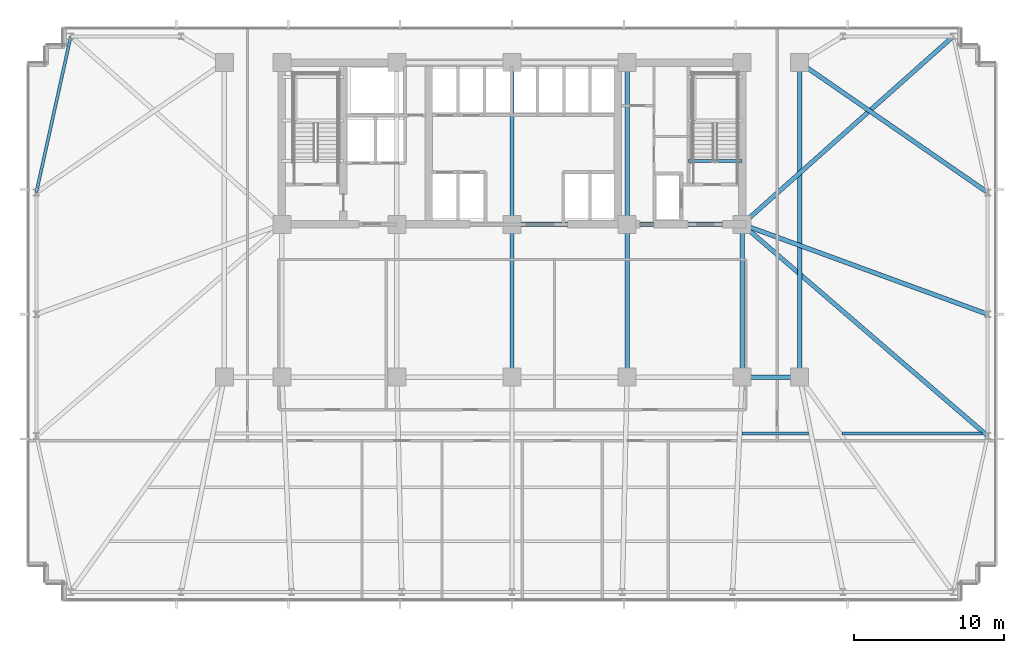
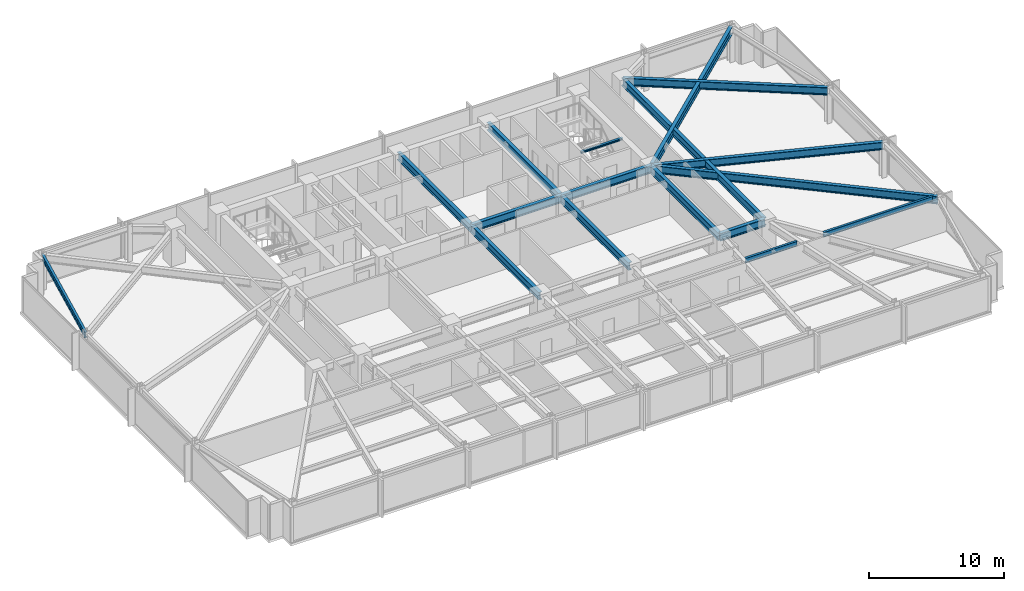
# One storey, part 16 of 32: 17 beams.
"""IFC4 building model written with IfcOpenShell, lengths in metres."""

from ifc_helpers import new_model, si_unit, direction, frame, origin, origin_2d, place, context, subcontext, project, spatial, i_section, extrude, material, material_profile, profile_set, type_object, element, save


model = new_model("IFC4")

# Units and contexts
model_context = context("Model", 3, precision=1e-05, world=origin(), true_north=direction((0.0, 1.0)))
body_context = subcontext(model_context, "Body", "Model", "MODEL_VIEW")
ifc_project = project(units=[si_unit("LENGTHUNIT", "METRE"), si_unit("AREAUNIT", "SQUARE_METRE"), si_unit("VOLUMEUNIT", "CUBIC_METRE"), si_unit("PLANEANGLEUNIT", "RADIAN"), si_unit("MASSUNIT", "GRAM", prefix="KILO")], contexts=[model_context])

# Site, building, storey
site_placement = place(None, origin())
site = spatial("IfcSite", under=ifc_project, at=site_placement, CompositionType="ELEMENT")
building_placement = place(site_placement, origin())
building = spatial("IfcBuilding", under=site, at=building_placement, Name="Yelkora Congress Tower", CompositionType="ELEMENT")
storey_placement = place(building_placement, frame((0.0, 0.0, 40.60009765625)))
storey = spatial("IfcBuildingStorey", under=building, at=storey_placement, Name="L09", CompositionType="ELEMENT", Elevation=40.60009765625)

# Beams
ifc_material = material(Name="Steel S355J2", Category="steel")
ifc_material_profile_1 = material_profile(ifc_material, i_section(OverallWidth=0.300048828125, OverallDepth=0.699951171875, WebThickness=0.01708984375, FlangeThickness=0.031982421875, FilletRadius=0.027099609375, at=origin_2d()), Name="HEB 700")
ifc_profile_set_1 = profile_set([ifc_material_profile_1], Name="Steel S355J2")
beam_type_1 = type_object("IfcBeamType", Name="BM-GIRD-HEB700", PredefinedType="BEAM", material=ifc_profile_set_1)
beam_1_placement = place(storey_placement, frame((53.760009765625, 25.199951171875, 2.829833984375), z_axis=(1.0, 0.0, 0.0), x_axis=(0.0, 1.0, 0.0)))
element("IfcBeam", 1, at=beam_1_placement, inside=storey, type_object=beam_type_1, Name="L09 Spine Grid D Girder 6", PredefinedType="BEAM", context=body_context, shape_type="SweptSolid", body=[
    extrude(i_section(OverallWidth=0.300048828125, OverallDepth=0.699951171875, WebThickness=0.01708984375, FlangeThickness=0.031982421875, FilletRadius=0.027099609375, at=origin_2d()), origin(), (0.0, 0.0, 1.0), 3.840087890625),
])
beam_2_placement = place(storey_placement, frame((38.39990234375, 35.39990234375, 2.829833984375), z_axis=(1.0, 0.0, 0.0), x_axis=(0.0, 1.0, 0.0)))
element("IfcBeam", 2, at=beam_2_placement, inside=storey, type_object=beam_type_1, Name="L09 Core South Girder 3", PredefinedType="BEAM", context=body_context, shape_type="SweptSolid", body=[
    extrude(i_section(OverallWidth=0.300048828125, OverallDepth=0.699951171875, WebThickness=0.01708984375, FlangeThickness=0.031982421875, FilletRadius=0.027099609375, at=origin_2d()), origin(), (0.0, 0.0, 1.0), 7.68017578125),
])
beam_3_placement = place(storey_placement, frame((46.080078125, 35.39990234375, 2.829833984375), z_axis=(1.0, 0.0, 0.0), x_axis=(0.0, 1.0, 0.0)))
element("IfcBeam", 3, at=beam_3_placement, inside=storey, type_object=beam_type_1, Name="L09 Core South Girder 4", PredefinedType="BEAM", context=body_context, shape_type="SweptSolid", body=[
    extrude(i_section(OverallWidth=0.300048828125, OverallDepth=0.699951171875, WebThickness=0.01708984375, FlangeThickness=0.031982421875, FilletRadius=0.027099609375, at=origin_2d()), origin(), (0.0, 0.0, 1.0), 7.679931640625),
])
beam_4_placement = place(storey_placement, frame((38.39990234375, 25.199951171875, 2.829833984375), z_axis=(0.0, 1.0, 0.0), x_axis=(-1.0, 0.0, 0.0)))
element("IfcBeam", 4, at=beam_4_placement, inside=storey, type_object=beam_type_1, Name="L09 Core Tie Girder MC-D3", PredefinedType="BEAM", context=body_context, shape_type="SweptSolid", body=[
    extrude(i_section(OverallWidth=0.300048828125, OverallDepth=0.699951171875, WebThickness=0.01708984375, FlangeThickness=0.031982421875, FilletRadius=0.027099609375, at=origin_2d()), origin(), (0.0, 0.0, 1.0), 10.199951171875),
])
beam_5_placement = place(storey_placement, frame((38.39990234375, 35.39990234375, 2.829833984375), z_axis=(0.0, 1.0, 0.0), x_axis=(-1.0, 0.0, 0.0)))
element("IfcBeam", 5, at=beam_5_placement, inside=storey, type_object=beam_type_1, Name="L09 Core Tie Girder MC-S3", PredefinedType="BEAM", context=body_context, shape_type="SweptSolid", body=[
    extrude(i_section(OverallWidth=0.300048828125, OverallDepth=0.699951171875, WebThickness=0.01708984375, FlangeThickness=0.031982421875, FilletRadius=0.027099609375, at=origin_2d()), origin(), (0.0, 0.0, 1.0), 10.800048828125),
])
beam_6_placement = place(storey_placement, frame((46.080078125, 25.199951171875, 2.829833984375), z_axis=(0.0, 1.0, 0.0), x_axis=(-1.0, 0.0, 0.0)))
element("IfcBeam", 6, at=beam_6_placement, inside=storey, type_object=beam_type_1, Name="L09 Core Tie Girder MC-D4", PredefinedType="BEAM", context=body_context, shape_type="SweptSolid", body=[
    extrude(i_section(OverallWidth=0.300048828125, OverallDepth=0.699951171875, WebThickness=0.01708984375, FlangeThickness=0.031982421875, FilletRadius=0.027099609375, at=origin_2d()), origin(), (0.0, 0.0, 1.0), 10.199951171875),
])
beam_7_placement = place(storey_placement, frame((46.080078125, 35.39990234375, 2.829833984375), z_axis=(0.0, 1.0, 0.0), x_axis=(-1.0, 0.0, 0.0)))
element("IfcBeam", 7, at=beam_7_placement, inside=storey, type_object=beam_type_1, Name="L09 Core Tie Girder MC-S4", PredefinedType="BEAM", context=body_context, shape_type="SweptSolid", body=[
    extrude(i_section(OverallWidth=0.300048828125, OverallDepth=0.699951171875, WebThickness=0.01708984375, FlangeThickness=0.031982421875, FilletRadius=0.027099609375, at=origin_2d()), origin(), (0.0, 0.0, 1.0), 10.800048828125),
])
beam_8_placement = place(storey_placement, frame((53.760009765625, 25.199951171875, 2.829833984375), z_axis=(0.0, 1.0, 0.0), x_axis=(-1.0, 0.0, 0.0)))
element("IfcBeam", 8, at=beam_8_placement, inside=storey, type_object=beam_type_1, Name="L09 Core Tie Girder MC-D5", PredefinedType="BEAM", context=body_context, shape_type="SweptSolid", body=[
    extrude(i_section(OverallWidth=0.300048828125, OverallDepth=0.699951171875, WebThickness=0.01708984375, FlangeThickness=0.031982421875, FilletRadius=0.027099609375, at=origin_2d()), origin(), (0.0, 0.0, 1.0), 10.199951171875),
])
beam_9_placement = place(storey_placement, frame((57.60009765625, 25.199951171875, 2.829833984375), z_axis=(0.0, 1.0, 0.0), x_axis=(-1.0, 0.0, 0.0)))
element("IfcBeam", 9, at=beam_9_placement, inside=storey, type_object=beam_type_1, Name="L09 Neck Flank Girder MC-F2", PredefinedType="BEAM", context=body_context, shape_type="SweptSolid", body=[
    extrude(i_section(OverallWidth=0.300048828125, OverallDepth=0.699951171875, WebThickness=0.01708984375, FlangeThickness=0.031982421875, FilletRadius=0.027099609375, at=origin_2d()), origin(), (0.0, 0.0, 1.0), 21.0),
])
beam_10_placement = place(storey_placement, frame((67.85009765625, 47.949951171875, 2.829833984375), z_axis=(-0.746737189621, -0.665119214605, 0.0), x_axis=(0.665119214605, -0.746737189621, 0.0)))
element("IfcBeam", 10, at=beam_10_placement, inside=storey, type_object=beam_type_1, Name="L09 Primary Frame Girder N09", PredefinedType="BEAM", context=body_context, shape_type="SweptSolid", body=[
    extrude(i_section(OverallWidth=0.300048828125, OverallDepth=0.699951171875, WebThickness=0.01708984375, FlangeThickness=0.031982421875, FilletRadius=0.027099609375, at=origin_2d()), origin(), (0.0, 0.0, 1.0), 18.868896484375),
])
beam_11_placement = place(storey_placement, frame((70.14990234375, 21.27490234375, 2.829833984375), z_axis=(-0.757506357109, 0.652827786586, 0.0), x_axis=(-0.652827786586, -0.757506357109, 0.0)))
element("IfcBeam", 11, at=beam_11_placement, inside=storey, type_object=beam_type_1, Name="L09 Primary Frame Girder E01", PredefinedType="BEAM", context=body_context, shape_type="SweptSolid", body=[
    extrude(i_section(OverallWidth=0.300048828125, OverallDepth=0.699951171875, WebThickness=0.01708984375, FlangeThickness=0.031982421875, FilletRadius=0.027099609375, at=origin_2d()), origin(), (0.0, 0.0, 1.0), 21.63671875),
])
beam_12_placement = place(storey_placement, frame((70.14990234375, 29.39990234375, 2.829833984375), z_axis=(-0.939054471542, 0.343768380567, 0.0), x_axis=(-0.343768380567, -0.939054471542, 0.0)))
element("IfcBeam", 12, at=beam_12_placement, inside=storey, type_object=beam_type_1, Name="L09 Primary Frame Girder E02", PredefinedType="BEAM", context=body_context, shape_type="SweptSolid", body=[
    extrude(i_section(OverallWidth=0.300048828125, OverallDepth=0.699951171875, WebThickness=0.01708984375, FlangeThickness=0.031982421875, FilletRadius=0.027099609375, at=origin_2d()), origin(), (0.0, 0.0, 1.0), 17.45361328125),
])
beam_13_placement = place(storey_placement, frame((70.14990234375, 37.52490234375, 2.829833984375), z_axis=(-0.822599280139, 0.568621512357, 0.0), x_axis=(-0.568621512357, -0.822599280139, 0.0)))
element("IfcBeam", 13, at=beam_13_placement, inside=storey, type_object=beam_type_1, Name="L09 Primary Frame Girder E03", PredefinedType="BEAM", context=body_context, shape_type="SweptSolid", body=[
    extrude(i_section(OverallWidth=0.300048828125, OverallDepth=0.699951171875, WebThickness=0.01708984375, FlangeThickness=0.031982421875, FilletRadius=0.027099609375, at=origin_2d()), origin(), (0.0, 0.0, 1.0), 15.25634765625),
])
ifc_material_profile_2 = material_profile(ifc_material, i_section(OverallWidth=0.18994140625, OverallDepth=0.449951171875, WebThickness=0.009521484375, FlangeThickness=0.0146484375, FilletRadius=0.02099609375, at=origin_2d()), Name="IPE 450")
ifc_profile_set_2 = profile_set([ifc_material_profile_2], Name="Steel S355J2")
beam_type_2 = type_object("IfcBeamType", Name="BM-JOIST-IPE450", PredefinedType="JOIST", material=ifc_profile_set_2)
beam_14_placement = place(storey_placement, frame((53.754150390625, 21.449951171875, 2.954833984375), z_axis=(1.0, 0.0, 0.0), x_axis=(0.0, 1.0, 0.0)))
element("IfcBeam", 14, at=beam_14_placement, inside=storey, type_object=beam_type_2, Name="L09 Composite Floor Joist 22", PredefinedType="JOIST", context=body_context, shape_type="SweptSolid", body=[
    extrude(i_section(OverallWidth=0.18994140625, OverallDepth=0.449951171875, WebThickness=0.009521484375, FlangeThickness=0.0146484375, FilletRadius=0.02099609375, at=origin_2d()), origin(), (0.0, 0.0, 1.0), 4.4404296875),
])
beam_15_placement = place(storey_placement, frame((60.438720703125, 21.449951171875, 2.954833984375), z_axis=(1.0, 0.0, 0.0), x_axis=(0.0, 1.0, 0.0)))
element("IfcBeam", 15, at=beam_15_placement, inside=storey, type_object=beam_type_2, Name="L09 Composite Floor Joist 23", PredefinedType="JOIST", context=body_context, shape_type="SweptSolid", body=[
    extrude(i_section(OverallWidth=0.18994140625, OverallDepth=0.449951171875, WebThickness=0.009521484375, FlangeThickness=0.0146484375, FilletRadius=0.02099609375, at=origin_2d()), origin(), (0.0, 0.0, 1.0), 9.34814453125),
])
ifc_material_profile_3 = material_profile(ifc_material, i_section(OverallWidth=0.199951171875, OverallDepth=0.18994140625, WebThickness=0.006591796875, FlangeThickness=0.010009765625, FilletRadius=0.01806640625, at=origin_2d()), Name="HEA 200")
ifc_profile_set_3 = profile_set([ifc_material_profile_3], Name="Steel S355J2")
beam_type_3 = type_object("IfcBeamType", Name="BM-LAND-HEA200", PredefinedType="BEAM", material=ifc_profile_set_3)
beam_16_placement = place(storey_placement, frame((50.179931640625, 39.639892578125, 2.947265625), z_axis=(1.0, 0.0, 0.0), x_axis=(0.0, 1.0, 0.0)))
element("IfcBeam", 16, at=beam_16_placement, inside=storey, type_object=beam_type_3, Name="ST-02 L09 Floor Arrival Stringer Header Beam", PredefinedType="BEAM", context=body_context, shape_type="SweptSolid", body=[
    extrude(i_section(OverallWidth=0.199951171875, OverallDepth=0.18994140625, WebThickness=0.006591796875, FlangeThickness=0.010009765625, FilletRadius=0.01806640625, at=origin_2d()), origin(), (0.0, 0.0, 1.0), 3.580078125),
])
ifc_material_profile_4 = material_profile(ifc_material, i_section(OverallWidth=0.199951171875, OverallDepth=0.5, WebThickness=0.01025390625, FlangeThickness=0.01611328125, FilletRadius=0.02099609375, at=origin_2d()), Name="IPE 500")
ifc_profile_set_4 = profile_set([ifc_material_profile_4], Name="Steel S355J2")
beam_type_4 = type_object("IfcBeamType", Name="BM-SPAN-IPE500", PredefinedType="SPANDREL", material=ifc_profile_set_4)
beam_17_placement = place(storey_placement, frame((8.949951171875, 47.949951171875, 2.929931640625), z_axis=(-0.215445894778, -0.976515778891, 0.0), x_axis=(0.976515778891, -0.215445894778, 0.0)))
element("IfcBeam", 17, at=beam_17_placement, inside=storey, type_object=beam_type_4, Name="L09 Perimeter Beam 17", PredefinedType="SPANDREL", context=body_context, shape_type="SweptSolid", body=[
    extrude(i_section(OverallWidth=0.199951171875, OverallDepth=0.5, WebThickness=0.01025390625, FlangeThickness=0.01611328125, FilletRadius=0.02099609375, at=origin_2d()), origin(), (0.0, 0.0, 1.0), 10.67578125),
])

save(model, "model.ifc")
